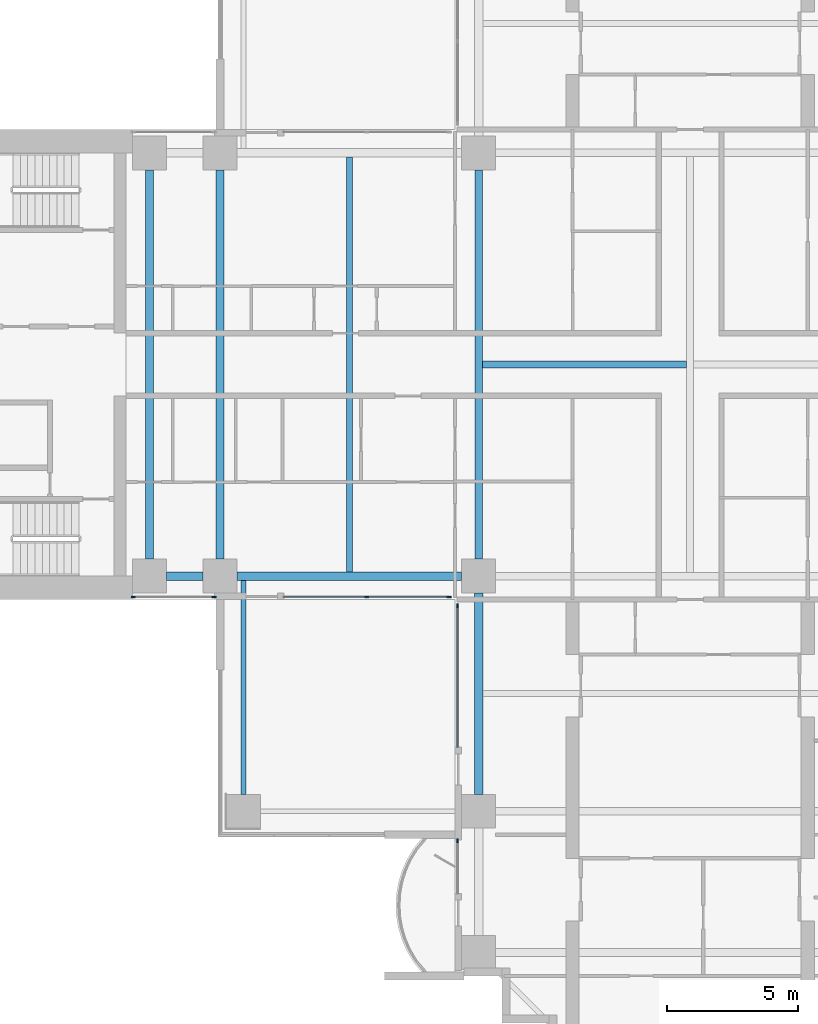
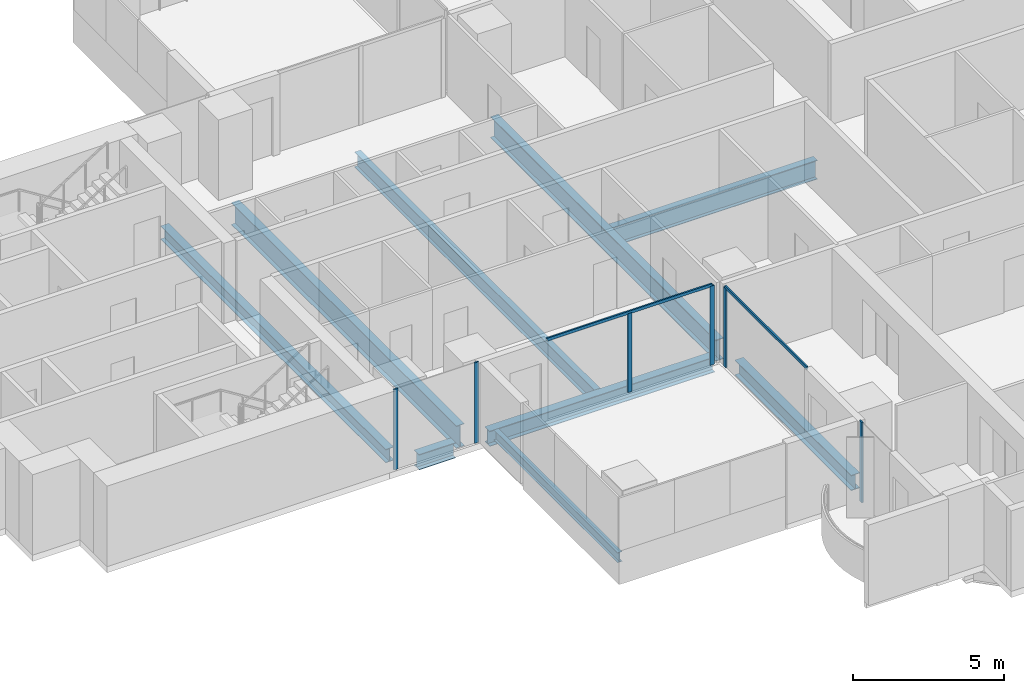
# One storey, part 2 of 21: 9 beams, 8 members, 4 elements without a shape of their own.
"""IFC4 building model written with IfcOpenShell, lengths in metres."""

import ifcopenshell
import ifcopenshell.guid

model = None  # the IFC model being written
_history = None  # IfcOwnerHistory: only IFC2X3 demands one
_inside = {}  # id of a spatial element -> (the spatial element, [elements in it])
_under = {}  # id of a project, library or spatial element -> (it, [spatial elements below it])
_declared = {}  # id of a project -> (the project, [libraries it declares])
_typed = {}  # id of a type object -> (the type object, [elements of that type])
_made_of = {}  # id of a material, layer set ... -> (it, [elements and type objects made of it])


def new_model(schema):
    """Start an empty IFC model of exactly this schema.

    Asked for "IFC4X3", IfcOpenShell would pick the latest addendum, in which some entities
    have other attributes; the version numbers below select the first issue.
    IFC2X3 requires an IfcOwnerHistory on every rooted entity: one is made here for all.
    """
    global model, _history
    if schema == "IFC4X3":
        model = ifcopenshell.file(schema_version=(4, 3, 0, 0))
    else:
        model = ifcopenshell.file(schema=schema)
    _inside.clear()
    _under.clear()
    _declared.clear()
    _typed.clear()
    _made_of.clear()
    _history = None
    if model.schema == "IFC2X3":
        org = make("IfcOrganization", Name="unknown")
        user = make(
            "IfcPersonAndOrganization",
            ThePerson=make("IfcPerson", FamilyName="unknown"),
            TheOrganization=org,
        )
        app = make(
            "IfcApplication",
            ApplicationDeveloper=org,
            Version="unknown",
            ApplicationFullName="unknown",
            ApplicationIdentifier="unknown",
        )
        _history = make(
            "IfcOwnerHistory",
            OwningUser=user,
            OwningApplication=app,
            ChangeAction="ADDED",
            CreationDate=0,
        )
    return model


def make(cls, **values):
    """One entity of the class cls with the attributes given. An attribute that is None is left unset."""
    return model.create_entity(
        cls, **{name: value for name, value in values.items() if value is not None}
    )


def rooted(cls, **values):
    """An entity with a GlobalId (a new one), such as an element, a storey or a relation."""
    return make(cls, GlobalId=ifcopenshell.guid.new(), OwnerHistory=_history, **values)


def si_unit(unit_type, name, prefix=None):
    """IfcSIUnit, for example si_unit("LENGTHUNIT", "METRE", prefix="MILLI")."""
    return make("IfcSIUnit", UnitType=unit_type, Prefix=prefix, Name=name)


def assignment(units):
    """IfcUnitAssignment: the units of a project."""
    return None if units is None else make("IfcUnitAssignment", Units=units)


def point(xyz):
    """IfcCartesianPoint."""
    return None if xyz is None else make("IfcCartesianPoint", Coordinates=xyz)


def direction(xyz):
    """IfcDirection."""
    return None if xyz is None else make("IfcDirection", DirectionRatios=xyz)


def frame(location, z_axis=None, x_axis=None):
    """IfcAxis2Placement3D, a coordinate frame: its origin and axes. An axis left out is left unset."""
    return make(
        "IfcAxis2Placement3D",
        Location=point(location),
        Axis=direction(z_axis),
        RefDirection=direction(x_axis),
    )


def frame_2d(location, x_axis=None):
    """IfcAxis2Placement2D, a coordinate frame in the plane: its origin and x axis."""
    return make(
        "IfcAxis2Placement2D", Location=point(location), RefDirection=direction(x_axis)
    )


def origin():
    """The frame at (0, 0, 0) with its axes left unset."""
    return frame((0.0, 0.0, 0.0))


def origin_2d():
    """The frame at (0, 0) in the plane with its x axis left unset."""
    return frame_2d((0.0, 0.0))


def place(relative_to, where):
    """IfcLocalPlacement: puts the frame where relative to a parent placement (None: the world)."""
    return make(
        "IfcLocalPlacement", PlacementRelTo=relative_to, RelativePlacement=where
    )


def context(
    kind, dimensions, precision=None, world=None, true_north=None, identifier=None
):
    """IfcGeometricRepresentationContext, for example the 3D "Model" context."""
    return make(
        "IfcGeometricRepresentationContext",
        ContextIdentifier=identifier,
        ContextType=kind,
        CoordinateSpaceDimension=dimensions,
        Precision=precision,
        WorldCoordinateSystem=world,
        TrueNorth=true_north,
    )


def subcontext(parent, identifier, kind, view, scale=None):
    """IfcGeometricRepresentationSubContext, for example "Body" below "Model"."""
    return make(
        "IfcGeometricRepresentationSubContext",
        ContextIdentifier=identifier,
        ContextType=kind,
        ParentContext=parent,
        TargetScale=scale,
        TargetView=view,
    )


def project(units=None, contexts=None):
    """IfcProject with its units and contexts."""
    return rooted(
        "IfcProject",
        Name="project",
        RepresentationContexts=contexts,
        UnitsInContext=assignment(units),
    )


def spatial(cls, under=None, at=None, **own):
    """A site, building, storey or space (cls), placed at a placement, below another one or the project."""
    s = rooted(cls, ObjectPlacement=at, **own)
    if under is not None:
        _under.setdefault(under.id(), (under, []))[1].append(s)
    return s


def profile(cls, at=None, kind="AREA", **sizes):
    """A parametric profile (cls). Its sizes go by their IFC names, for example OverallWidth=200.0."""
    return make(cls, ProfileType=kind, Position=at, **sizes)


def rectangle(**sizes):
    """IfcRectangleProfileDef."""
    return profile("IfcRectangleProfileDef", **sizes)


def i_section(**sizes):
    """IfcIShapeProfileDef."""
    return profile("IfcIShapeProfileDef", **sizes)


def extrude(swept, where, along, depth):
    """IfcExtrudedAreaSolid: the profile swept, set in the frame where, extruded along a direction by depth."""
    return make(
        "IfcExtrudedAreaSolid",
        SweptArea=swept,
        Position=where,
        ExtrudedDirection=direction(along),
        Depth=depth,
    )


def shape(context_of_items, identifier, shape_type, items):
    """IfcShapeRepresentation: the items that make up one representation, for example the "Body"."""
    return make(
        "IfcShapeRepresentation",
        ContextOfItems=context_of_items,
        RepresentationIdentifier=identifier,
        RepresentationType=shape_type,
        Items=items,
    )


def material(Name=None, Category=None):
    """IfcMaterial."""
    return make("IfcMaterial", Name=Name, Category=Category)


def material_profile(
    of_material, cross_section, Name=None, Category=None, Priority=None
):
    """IfcMaterialProfile: a cross section and its material."""
    return make(
        "IfcMaterialProfile",
        Name=Name,
        Material=of_material,
        Profile=cross_section,
        Priority=Priority,
        Category=Category,
    )


def profile_set(profiles, Name=None, composite=None):
    """IfcMaterialProfileSet."""
    return make(
        "IfcMaterialProfileSet",
        Name=Name,
        MaterialProfiles=profiles,
        CompositeProfile=composite,
    )


def made_of(thing, what):
    """Note that an element or type object is made of a material, layer set ...; save() writes the relation."""
    if what is not None:
        _made_of.setdefault(what.id(), (what, []))[1].append(thing)
    return thing


def type_object(cls, material=None, **own):
    """A type object (cls), such as IfcWallType, which elements share."""
    return made_of(rooted(cls, **own), material)


def element(
    cls,
    number,
    at=None,
    inside=None,
    cuts=None,
    type_object=None,
    material=None,
    context=None,
    identifier="Body",
    shape_type=None,
    held_by="IfcProductDefinitionShape",
    body=None,
    shapes=None,
    **own,
):
    """One element of the class cls, such as IfcWall. Its Tag is "e" and its number.

    at: its placement. inside: the storey or other place that contains it. cuts: it is an
    opening in that element (IfcRelVoidsElement). A single representation is given by context,
    identifier, shape_type and body (its items); several are given by shapes. held_by: the class
    of the entity that holds the representations. save() writes the other relations.
    """
    e = rooted(cls, Tag="e%d" % number, ObjectPlacement=at, **own)
    if body is not None:
        shapes = [shape(context, identifier, shape_type, body)]
    if shapes is not None:
        e.Representation = make(held_by, Representations=shapes)
    if inside is not None:
        _inside.setdefault(inside.id(), (inside, []))[1].append(e)
    if cuts is not None:
        rooted(
            "IfcRelVoidsElement", RelatingBuildingElement=cuts, RelatedOpeningElement=e
        )
    if type_object is not None:
        _typed.setdefault(type_object.id(), (type_object, []))[1].append(e)
    return made_of(e, material)


def aggregate(whole, parts):
    """IfcRelAggregates: a whole, such as a stair, and the parts it consists of."""
    return rooted("IfcRelAggregates", RelatingObject=whole, RelatedObjects=parts)


def save(model, path):
    """Write the relations noted so far, then the file.

    IfcRelAggregates (storeys below a building ...), IfcRelContainedInSpatialStructure (elements
    in a storey), IfcRelDefinesByType, IfcRelAssociatesMaterial and IfcRelDeclares: one each for
    every whole, place, type object, material and project.
    """
    for whole, parts in _under.values():
        aggregate(whole, parts)
    for where, things in _inside.values():
        rooted(
            "IfcRelContainedInSpatialStructure",
            RelatedElements=things,
            RelatingStructure=where,
        )
    for kind, things in _typed.values():
        rooted("IfcRelDefinesByType", RelatedObjects=things, RelatingType=kind)
    for what, things in _made_of.values():
        rooted("IfcRelAssociatesMaterial", RelatedObjects=things, RelatingMaterial=what)
    for by, libraries in _declared.values():
        rooted("IfcRelDeclares", RelatingContext=by, RelatedDefinitions=libraries)
    model.write(path)


model = new_model("IFC4")

# Units and contexts
model_context = context("Model", 3, precision=1e-05, world=origin(), true_north=direction((0.0, 1.0)))
body_context = subcontext(model_context, "Body", "Model", "MODEL_VIEW")
ifc_project = project(units=[si_unit("LENGTHUNIT", "METRE"), si_unit("AREAUNIT", "SQUARE_METRE"), si_unit("VOLUMEUNIT", "CUBIC_METRE"), si_unit("PLANEANGLEUNIT", "RADIAN"), si_unit("MASSUNIT", "GRAM", prefix="KILO")], contexts=[model_context])

# Site, building, storey
site_placement = place(None, origin())
site = spatial("IfcSite", under=ifc_project, at=site_placement, CompositionType="ELEMENT")
building_placement = place(site_placement, origin())
building = spatial("IfcBuilding", under=site, at=building_placement, Name="Perihelion Cross Residences", CompositionType="ELEMENT")
storey_placement = place(building_placement, frame((0.0, 0.0, 47.0)))
storey = spatial("IfcBuildingStorey", under=building, at=storey_placement, Name="L08", CompositionType="ELEMENT", Elevation=47.0)

# Curtain wall, members
ifc_material_1 = material(Name="Bronze anodised aluminium, tinted glazing", Category="aluminium")
curtain_wall_type = type_object("IfcCurtainWallType", Name="CW1", PredefinedType="NOTDEFINED", material=ifc_material_1)
curtain_wall_1_placement = place(storey_placement, origin())
curtain_wall_1 = element("IfcCurtainWall", 1, at=curtain_wall_1_placement, inside=storey, type_object=curtain_wall_type, Name="Curtain wall CW1 L08 west side south bay 1", PredefinedType="NOTDEFINED")
ifc_material_2 = material(Name="Bronze anodised aluminium", Category="aluminium")
ifc_material_profile_1 = material_profile(ifc_material_2, rectangle(XDim=0.06005859375, YDim=0.159912109375, at=origin_2d()), Name="CW1 mullion")
ifc_profile_set_1 = profile_set([ifc_material_profile_1], Name="Bronze anodised aluminium")
member_type_1 = type_object("IfcMemberType", Name="CW1 mullion", PredefinedType="MULLION", material=ifc_profile_set_1)
member_1_placement = place(storey_placement, frame((-21.320068359375, -8.89990234375, 0.0), z_axis=(0.0, 0.0, 1.0), x_axis=(0.0, 1.0, 0.0)))
member_1 = element("IfcMember", 2, at=member_1_placement, type_object=member_type_1, Name="CW1 mullion 1", PredefinedType="MULLION", context=body_context, shape_type="SweptSolid", body=[
    extrude(rectangle(XDim=0.06005859375, YDim=0.159912109375, at=origin_2d()), origin(), (0.0, 0.0, 1.0), 3.25),
])
member_2_placement = place(storey_placement, frame((-18.22998046875, -8.89990234375, 0.0), z_axis=(0.0, 0.0, 1.0), x_axis=(0.0, 1.0, 0.0)))
member_2 = element("IfcMember", 3, at=member_2_placement, type_object=member_type_1, Name="CW1 mullion 2", PredefinedType="MULLION", context=body_context, shape_type="SweptSolid", body=[
    extrude(rectangle(XDim=0.06005859375, YDim=0.159912109375, at=origin_2d()), origin(), (0.0, 0.0, 1.0), 3.25),
])
aggregate(curtain_wall_1, [member_1, member_2])

curtain_wall_2_placement = place(storey_placement, origin())
curtain_wall_2 = element("IfcCurtainWall", 4, at=curtain_wall_2_placement, inside=storey, type_object=curtain_wall_type, Name="Curtain wall CW1 L08 west side south bay 2", PredefinedType="NOTDEFINED")
member_3_placement = place(storey_placement, frame((-12.375, -8.89990234375, 0.0), z_axis=(0.0, 0.0, 1.0), x_axis=(0.0, 1.0, 0.0)))
member_3 = element("IfcMember", 5, at=member_3_placement, type_object=member_type_1, Name="CW1 mullion 2", PredefinedType="MULLION", context=body_context, shape_type="SweptSolid", body=[
    extrude(rectangle(XDim=0.06005859375, YDim=0.159912109375, at=origin_2d()), origin(), (0.0, 0.0, 1.0), 3.18994140625),
])
member_4_placement = place(storey_placement, frame((-9.22998046875, -8.89990234375, 0.0), z_axis=(0.0, 0.0, 1.0), x_axis=(0.0, 1.0, 0.0)))
member_4 = element("IfcMember", 6, at=member_4_placement, type_object=member_type_1, Name="CW1 mullion 3", PredefinedType="MULLION", context=body_context, shape_type="SweptSolid", body=[
    extrude(rectangle(XDim=0.06005859375, YDim=0.159912109375, at=origin_2d()), origin(), (0.0, 0.0, 1.0), 3.18994140625),
])

# Curtain wall, member
curtain_wall_3_placement = place(storey_placement, origin())
curtain_wall_3 = element("IfcCurtainWall", 7, at=curtain_wall_3_placement, inside=storey, type_object=curtain_wall_type, Name="Curtain wall CW1 L08 south side west bay 1", PredefinedType="NOTDEFINED")
member_5_placement = place(storey_placement, frame((-8.89990234375, -9.22998046875, 0.0), z_axis=(0.0, 0.0, 1.0), x_axis=(1.0, 0.0, 0.0)))
member_5 = element("IfcMember", 8, at=member_5_placement, type_object=member_type_1, Name="CW1 mullion 1", PredefinedType="MULLION", context=body_context, shape_type="SweptSolid", body=[
    extrude(rectangle(XDim=0.06005859375, YDim=0.159912109375, at=origin_2d()), origin(), (0.0, 0.0, 1.0), 3.18994140625),
])

curtain_wall_4_placement = place(storey_placement, origin())
curtain_wall_4 = element("IfcCurtainWall", 9, at=curtain_wall_4_placement, inside=storey, type_object=curtain_wall_type, Name="Curtain wall CW1 L08 south side west bay 2", PredefinedType="NOTDEFINED")
member_6_placement = place(storey_placement, frame((-8.89990234375, -18.22998046875, 0.0), z_axis=(0.0, 0.0, 1.0), x_axis=(1.0, 0.0, 0.0)))
member_6 = element("IfcMember", 10, at=member_6_placement, type_object=member_type_1, Name="CW1 mullion 1", PredefinedType="MULLION", context=body_context, shape_type="SweptSolid", body=[
    extrude(rectangle(XDim=0.06005859375, YDim=0.159912109375, at=origin_2d()), origin(), (0.0, 0.0, 1.0), 3.25),
])
aggregate(curtain_wall_4, [member_6])

# Member
ifc_material_3 = material(Name="Bronze anodised aluminium", Category="aluminium")
ifc_material_profile_2 = material_profile(ifc_material_3, rectangle(XDim=0.06005859375, YDim=0.1201171875, at=origin_2d()), Name="CW1 transom")
ifc_profile_set_2 = profile_set([ifc_material_profile_2], Name="Bronze anodised aluminium")
member_type_2 = type_object("IfcMemberType", Name="CW1 transom", PredefinedType="USERDEFINED", material=ifc_profile_set_2)
member_7_placement = place(storey_placement, frame((-15.550048828125, -8.89990234375, 3.219970703125), z_axis=(1.0, 0.0, 0.0), x_axis=(0.0, 1.0, 0.0)))
member_7 = element("IfcMember", 11, at=member_7_placement, type_object=member_type_2, Name="CW1 head transom", ObjectType="TRANSOM", PredefinedType="USERDEFINED", context=body_context, shape_type="SweptSolid", body=[
    extrude(rectangle(XDim=0.06005859375, YDim=0.1201171875, at=origin_2d()), origin(), (0.0, 0.0, 1.0), 6.320068359375),
])

aggregate(curtain_wall_2, [member_3, member_4, member_7])

member_8_placement = place(storey_placement, frame((-8.89990234375, -9.22998046875, 3.219970703125), z_axis=(0.0, -1.0, 0.0), x_axis=(1.0, 0.0, 0.0)))
member_8 = element("IfcMember", 12, at=member_8_placement, type_object=member_type_2, Name="CW1 head transom", ObjectType="TRANSOM", PredefinedType="USERDEFINED", context=body_context, shape_type="SweptSolid", body=[
    extrude(rectangle(XDim=0.06005859375, YDim=0.1201171875, at=origin_2d()), origin(), (0.0, 0.0, 1.0), 5.419921875),
])

aggregate(curtain_wall_3, [member_5, member_8])

# Beams
ifc_material_4 = material(Name="Steel S355", Category="steel")
ifc_material_profile_3 = material_profile(ifc_material_4, i_section(OverallWidth=0.177978515625, OverallDepth=0.406005859375, WebThickness=0.0078125, FlangeThickness=0.0126953125, at=origin_2d()), Name="W410x60")
ifc_profile_set_3 = profile_set([ifc_material_profile_3], Name="Steel S355")
beam_type_1 = type_object("IfcBeamType", Name="Core edge beam W410x60", PredefinedType="BEAM", material=ifc_profile_set_3)
beam_1_placement = place(storey_placement, frame((-17.10009765625, -8.262451171875, -0.452880859375), z_axis=(0.0, -1.0, 0.0), x_axis=(1.0, 0.0, 0.0)))
element("IfcBeam", 13, at=beam_1_placement, inside=storey, type_object=beam_type_1, Name="Core edge beam TB2 L08 corner no. 1", PredefinedType="BEAM", context=body_context, shape_type="SweptSolid", body=[
    extrude(i_section(OverallWidth=0.177978515625, OverallDepth=0.406005859375, WebThickness=0.0078125, FlangeThickness=0.0126953125, at=origin_2d()), origin(), (0.0, 0.0, 1.0), 8.1875),
])
ifc_material_5 = material(Name="Steel S355", Category="steel")
ifc_material_profile_4 = material_profile(ifc_material_5, i_section(OverallWidth=0.31201171875, OverallDepth=0.5439453125, WebThickness=0.0126953125, FlangeThickness=0.020263671875, at=origin_2d()), Name="W530x150")
ifc_profile_set_4 = profile_set([ifc_material_profile_4], Name="Steel S355")
beam_type_2 = type_object("IfcBeamType", Name="Core edge beam W530x150", PredefinedType="BEAM", material=ifc_profile_set_4)
beam_2_placement = place(storey_placement, frame((-20.699951171875, -7.449951171875, -0.52197265625), z_axis=(0.0, 1.0, 0.0), x_axis=(-1.0, 0.0, 0.0)))
element("IfcBeam", 14, at=beam_2_placement, inside=storey, type_object=beam_type_2, Name="Core edge beam TB4 L08 no. 1", PredefinedType="BEAM", context=body_context, shape_type="SweptSolid", body=[
    extrude(i_section(OverallWidth=0.31201171875, OverallDepth=0.5439453125, WebThickness=0.0126953125, FlangeThickness=0.020263671875, at=origin_2d()), origin(), (0.0, 0.0, 1.0), 14.89990234375),
])
ifc_material_6 = material(Name="Steel S355", Category="steel")
ifc_material_profile_5 = material_profile(ifc_material_6, i_section(OverallWidth=0.324951171875, OverallDepth=0.616943359375, WebThickness=0.013916015625, FlangeThickness=0.021484375, at=origin_2d()), Name="W610x174")
ifc_profile_set_5 = profile_set([ifc_material_profile_5], Name="Steel S355")
beam_type_3 = type_object("IfcBeamType", Name="Edge beam W610x174", PredefinedType="SPANDREL", material=ifc_profile_set_5)
beam_3_placement = place(storey_placement, frame((-20.050048828125, -8.10009765625, -0.55859375), z_axis=(1.0, 0.0, 0.0), x_axis=(0.0, 1.0, 0.0)))
element("IfcBeam", 15, at=beam_3_placement, inside=storey, type_object=beam_type_3, Name="Edge beam SB2 L08 no. 3", PredefinedType="SPANDREL", context=body_context, shape_type="SweptSolid", body=[
    extrude(i_section(OverallWidth=0.324951171875, OverallDepth=0.616943359375, WebThickness=0.013916015625, FlangeThickness=0.021484375, at=origin_2d()), origin(), (0.0, 0.0, 1.0), 1.400146484375),
])
beam_4_placement = place(storey_placement, frame((-17.35009765625, -8.10009765625, -0.55859375), z_axis=(1.0, 0.0, 0.0), x_axis=(0.0, 1.0, 0.0)))
element("IfcBeam", 16, at=beam_4_placement, inside=storey, type_object=beam_type_3, Name="Edge beam SB2 L08 no. 1", PredefinedType="SPANDREL", context=body_context, shape_type="SweptSolid", body=[
    extrude(i_section(OverallWidth=0.324951171875, OverallDepth=0.616943359375, WebThickness=0.013916015625, FlangeThickness=0.021484375, at=origin_2d()), origin(), (0.0, 0.0, 1.0), 8.60009765625),
])
beam_5_placement = place(storey_placement, frame((-8.10009765625, -8.75, -0.55859375), z_axis=(0.0, -1.0, 0.0), x_axis=(1.0, 0.0, 0.0)))
element("IfcBeam", 17, at=beam_5_placement, inside=storey, type_object=beam_type_3, Name="Edge beam SB2 L08 no. 6", PredefinedType="SPANDREL", context=body_context, shape_type="SweptSolid", body=[
    extrude(i_section(OverallWidth=0.324951171875, OverallDepth=0.616943359375, WebThickness=0.013916015625, FlangeThickness=0.021484375, at=origin_2d()), origin(), (0.0, 0.0, 1.0), 7.699951171875),
])
ifc_material_7 = material(Name="Steel S355", Category="steel")
ifc_material_profile_6 = material_profile(ifc_material_7, i_section(OverallWidth=0.304931640625, OverallDepth=0.904052734375, WebThickness=0.01513671875, FlangeThickness=0.02001953125, at=origin_2d()), Name="W920x201")
ifc_profile_set_6 = profile_set([ifc_material_profile_6], Name="Steel S355")
beam_type_4 = type_object("IfcBeamType", Name="Floor girder W920x201", PredefinedType="BEAM", material=ifc_profile_set_6)
beam_6_placement = place(storey_placement, frame((-18.0, -7.449951171875, -0.701904296875), z_axis=(0.0, 1.0, 0.0), x_axis=(-1.0, 0.0, 0.0)))
element("IfcBeam", 18, at=beam_6_placement, inside=storey, type_object=beam_type_4, Name="Girder G2 L08 no. 1", PredefinedType="BEAM", context=body_context, shape_type="SweptSolid", body=[
    extrude(i_section(OverallWidth=0.304931640625, OverallDepth=0.904052734375, WebThickness=0.01513671875, FlangeThickness=0.02001953125, at=origin_2d()), origin(), (0.0, 0.0, 1.0), 14.89990234375),
])
ifc_material_8 = material(Name="Steel S355", Category="steel")
ifc_material_profile_7 = material_profile(ifc_material_8, i_section(OverallWidth=0.22900390625, OverallDepth=0.612060546875, WebThickness=0.011962890625, FlangeThickness=0.01953125, at=origin_2d()), Name="W610x125")
ifc_profile_set_7 = profile_set([ifc_material_profile_7], Name="Steel S355")
beam_type_5 = type_object("IfcBeamType", Name="Floor joist W610x125", PredefinedType="JOIST", material=ifc_profile_set_7)
beam_7_placement = place(storey_placement, frame((-13.050048828125, -7.9375, -0.555908203125), z_axis=(0.0, 1.0, 0.0), x_axis=(-1.0, 0.0, 0.0)))
element("IfcBeam", 19, at=beam_7_placement, inside=storey, type_object=beam_type_5, Name="Joist J3 L08 no. 1", PredefinedType="JOIST", context=body_context, shape_type="SweptSolid", body=[
    extrude(i_section(OverallWidth=0.22900390625, OverallDepth=0.612060546875, WebThickness=0.011962890625, FlangeThickness=0.01953125, at=origin_2d()), origin(), (0.0, 0.0, 1.0), 15.875),
])
ifc_material_9 = material(Name="Steel S355", Category="steel")
ifc_material_profile_8 = material_profile(ifc_material_9, i_section(OverallWidth=0.26708984375, OverallDepth=0.77001953125, WebThickness=0.015625, FlangeThickness=0.025390625, at=origin_2d()), Name="W760x196")
ifc_profile_set_8 = profile_set([ifc_material_profile_8], Name="Steel S355")
beam_type_6 = type_object("IfcBeamType", Name="Hub cross beam W760x196", PredefinedType="BEAM", material=ifc_profile_set_8)
beam_8_placement = place(storey_placement, frame((-7.9541015625, 0.0, -0.635009765625), z_axis=(1.0, 0.0, 0.0), x_axis=(0.0, 1.0, 0.0)))
element("IfcBeam", 20, at=beam_8_placement, inside=storey, type_object=beam_type_6, Name="Hub cross beam XB2 L08 1 no. 1", PredefinedType="BEAM", context=body_context, shape_type="SweptSolid", body=[
    extrude(i_section(OverallWidth=0.26708984375, OverallDepth=0.77001953125, WebThickness=0.015625, FlangeThickness=0.025390625, at=origin_2d()), origin(), (0.0, 0.0, 1.0), 7.820556640625),
])
ifc_material_10 = material(Name="Steel S355", Category="steel")
ifc_material_profile_9 = material_profile(ifc_material_10, i_section(OverallWidth=0.2919921875, OverallDepth=0.85888671875, WebThickness=0.01708984375, FlangeThickness=0.031005859375, at=origin_2d()), Name="W840x251")
ifc_profile_set_9 = profile_set([ifc_material_profile_9], Name="Steel S355")
beam_type_7 = type_object("IfcBeamType", Name="Hub ring girder W840x251", PredefinedType="BEAM", material=ifc_profile_set_9)
beam_9_placement = place(storey_placement, frame((-8.10009765625, 7.449951171875, -0.679443359375), z_axis=(0.0, -1.0, 0.0), x_axis=(1.0, 0.0, 0.0)))
element("IfcBeam", 21, at=beam_9_placement, inside=storey, type_object=beam_type_7, Name="Hub ring girder RG2 L08 no. 2", PredefinedType="BEAM", context=body_context, shape_type="SweptSolid", body=[
    extrude(i_section(OverallWidth=0.2919921875, OverallDepth=0.85888671875, WebThickness=0.01708984375, FlangeThickness=0.031005859375, at=origin_2d()), origin(), (0.0, 0.0, 1.0), 14.89990234375),
])

save(model, "model.ifc")
